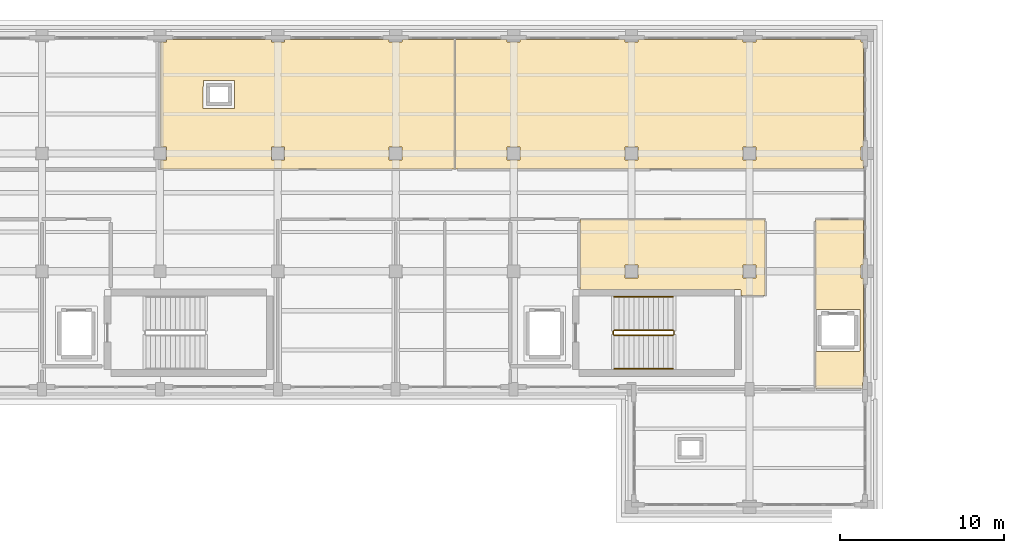
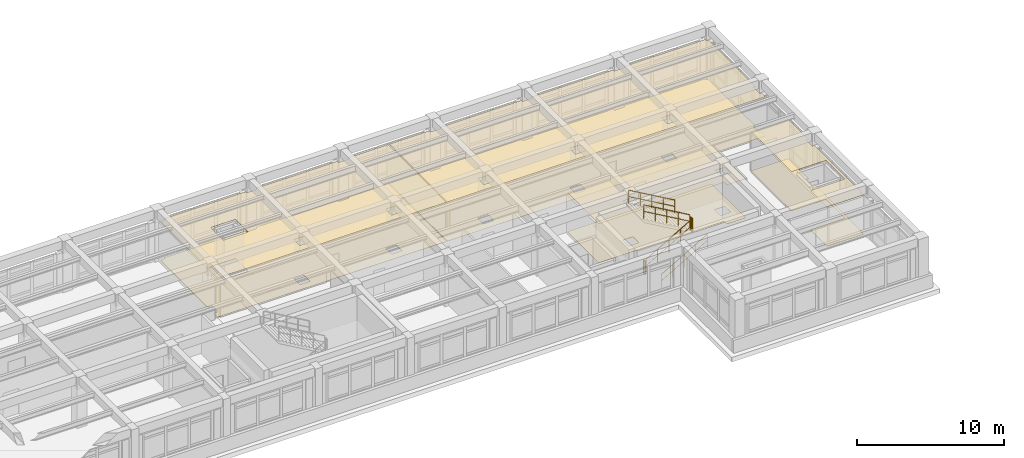
# One storey, part 67 of 67: 8 coverings, 6 railings.
"""IFC4 building model written with IfcOpenShell, lengths in metres."""

import ifcopenshell
import ifcopenshell.guid

model = None  # the IFC model being written
_history = None  # IfcOwnerHistory: only IFC2X3 demands one
_inside = {}  # id of a spatial element -> (the spatial element, [elements in it])
_under = {}  # id of a project, library or spatial element -> (it, [spatial elements below it])
_declared = {}  # id of a project -> (the project, [libraries it declares])
_typed = {}  # id of a type object -> (the type object, [elements of that type])
_made_of = {}  # id of a material, layer set ... -> (it, [elements and type objects made of it])


def new_model(schema):
    """Start an empty IFC model of exactly this schema.

    Asked for "IFC4X3", IfcOpenShell would pick the latest addendum, in which some entities
    have other attributes; the version numbers below select the first issue.
    IFC2X3 requires an IfcOwnerHistory on every rooted entity: one is made here for all.
    """
    global model, _history
    if schema == "IFC4X3":
        model = ifcopenshell.file(schema_version=(4, 3, 0, 0))
    else:
        model = ifcopenshell.file(schema=schema)
    _inside.clear()
    _under.clear()
    _declared.clear()
    _typed.clear()
    _made_of.clear()
    _history = None
    if model.schema == "IFC2X3":
        org = make("IfcOrganization", Name="unknown")
        user = make(
            "IfcPersonAndOrganization",
            ThePerson=make("IfcPerson", FamilyName="unknown"),
            TheOrganization=org,
        )
        app = make(
            "IfcApplication",
            ApplicationDeveloper=org,
            Version="unknown",
            ApplicationFullName="unknown",
            ApplicationIdentifier="unknown",
        )
        _history = make(
            "IfcOwnerHistory",
            OwningUser=user,
            OwningApplication=app,
            ChangeAction="ADDED",
            CreationDate=0,
        )
    return model


def make(cls, **values):
    """One entity of the class cls with the attributes given. An attribute that is None is left unset."""
    return model.create_entity(
        cls, **{name: value for name, value in values.items() if value is not None}
    )


def rooted(cls, **values):
    """An entity with a GlobalId (a new one), such as an element, a storey or a relation."""
    return make(cls, GlobalId=ifcopenshell.guid.new(), OwnerHistory=_history, **values)


def si_unit(unit_type, name, prefix=None):
    """IfcSIUnit, for example si_unit("LENGTHUNIT", "METRE", prefix="MILLI")."""
    return make("IfcSIUnit", UnitType=unit_type, Prefix=prefix, Name=name)


def assignment(units):
    """IfcUnitAssignment: the units of a project."""
    return None if units is None else make("IfcUnitAssignment", Units=units)


def point(xyz):
    """IfcCartesianPoint."""
    return None if xyz is None else make("IfcCartesianPoint", Coordinates=xyz)


def direction(xyz):
    """IfcDirection."""
    return None if xyz is None else make("IfcDirection", DirectionRatios=xyz)


def frame(location, z_axis=None, x_axis=None):
    """IfcAxis2Placement3D, a coordinate frame: its origin and axes. An axis left out is left unset."""
    return make(
        "IfcAxis2Placement3D",
        Location=point(location),
        Axis=direction(z_axis),
        RefDirection=direction(x_axis),
    )


def frame_2d(location, x_axis=None):
    """IfcAxis2Placement2D, a coordinate frame in the plane: its origin and x axis."""
    return make(
        "IfcAxis2Placement2D", Location=point(location), RefDirection=direction(x_axis)
    )


def origin():
    """The frame at (0, 0, 0) with its axes left unset."""
    return frame((0.0, 0.0, 0.0))


def origin_2d():
    """The frame at (0, 0) in the plane with its x axis left unset."""
    return frame_2d((0.0, 0.0))


def place(relative_to, where):
    """IfcLocalPlacement: puts the frame where relative to a parent placement (None: the world)."""
    return make(
        "IfcLocalPlacement", PlacementRelTo=relative_to, RelativePlacement=where
    )


def context(
    kind, dimensions, precision=None, world=None, true_north=None, identifier=None
):
    """IfcGeometricRepresentationContext, for example the 3D "Model" context."""
    return make(
        "IfcGeometricRepresentationContext",
        ContextIdentifier=identifier,
        ContextType=kind,
        CoordinateSpaceDimension=dimensions,
        Precision=precision,
        WorldCoordinateSystem=world,
        TrueNorth=true_north,
    )


def subcontext(parent, identifier, kind, view, scale=None):
    """IfcGeometricRepresentationSubContext, for example "Body" below "Model"."""
    return make(
        "IfcGeometricRepresentationSubContext",
        ContextIdentifier=identifier,
        ContextType=kind,
        ParentContext=parent,
        TargetScale=scale,
        TargetView=view,
    )


def project(units=None, contexts=None):
    """IfcProject with its units and contexts."""
    return rooted(
        "IfcProject",
        Name="project",
        RepresentationContexts=contexts,
        UnitsInContext=assignment(units),
    )


def spatial(cls, under=None, at=None, **own):
    """A site, building, storey or space (cls), placed at a placement, below another one or the project."""
    s = rooted(cls, ObjectPlacement=at, **own)
    if under is not None:
        _under.setdefault(under.id(), (under, []))[1].append(s)
    return s


def polyline(points):
    """IfcPolyline through the points."""
    return make("IfcPolyline", Points=[point(p) for p in points])


def profile(cls, at=None, kind="AREA", **sizes):
    """A parametric profile (cls). Its sizes go by their IFC names, for example OverallWidth=200.0."""
    return make(cls, ProfileType=kind, Position=at, **sizes)


def circle(**sizes):
    """IfcCircleProfileDef."""
    return profile("IfcCircleProfileDef", **sizes)


def outline(outer, holes=None, kind="AREA"):
    """IfcArbitraryClosedProfileDef: a profile drawn as a closed curve; with holes, ...WithVoids."""
    if holes is None:
        return make("IfcArbitraryClosedProfileDef", ProfileType=kind, OuterCurve=outer)
    return make(
        "IfcArbitraryProfileDefWithVoids",
        ProfileType=kind,
        OuterCurve=outer,
        InnerCurves=holes,
    )


def extrude(swept, where, along, depth):
    """IfcExtrudedAreaSolid: the profile swept, set in the frame where, extruded along a direction by depth."""
    return make(
        "IfcExtrudedAreaSolid",
        SweptArea=swept,
        Position=where,
        ExtrudedDirection=direction(along),
        Depth=depth,
    )


def shape(context_of_items, identifier, shape_type, items):
    """IfcShapeRepresentation: the items that make up one representation, for example the "Body"."""
    return make(
        "IfcShapeRepresentation",
        ContextOfItems=context_of_items,
        RepresentationIdentifier=identifier,
        RepresentationType=shape_type,
        Items=items,
    )


def material(Name=None, Category=None):
    """IfcMaterial."""
    return make("IfcMaterial", Name=Name, Category=Category)


def layer(
    of_material, thickness, ventilated=None, Name=None, Category=None, Priority=None
):
    """IfcMaterialLayer: one layer of a wall or slab, of a material (None: an air gap)."""
    return make(
        "IfcMaterialLayer",
        Material=of_material,
        LayerThickness=thickness,
        IsVentilated=ventilated,
        Name=Name,
        Category=Category,
        Priority=Priority,
    )


def layer_set(layers, Name=None):
    """IfcMaterialLayerSet."""
    return make("IfcMaterialLayerSet", MaterialLayers=layers, LayerSetName=Name)


def made_of(thing, what):
    """Note that an element or type object is made of a material, layer set ...; save() writes the relation."""
    if what is not None:
        _made_of.setdefault(what.id(), (what, []))[1].append(thing)
    return thing


def type_object(cls, material=None, **own):
    """A type object (cls), such as IfcWallType, which elements share."""
    return made_of(rooted(cls, **own), material)


def element(
    cls,
    number,
    at=None,
    inside=None,
    cuts=None,
    type_object=None,
    material=None,
    context=None,
    identifier="Body",
    shape_type=None,
    held_by="IfcProductDefinitionShape",
    body=None,
    shapes=None,
    **own,
):
    """One element of the class cls, such as IfcWall. Its Tag is "e" and its number.

    at: its placement. inside: the storey or other place that contains it. cuts: it is an
    opening in that element (IfcRelVoidsElement). A single representation is given by context,
    identifier, shape_type and body (its items); several are given by shapes. held_by: the class
    of the entity that holds the representations. save() writes the other relations.
    """
    e = rooted(cls, Tag="e%d" % number, ObjectPlacement=at, **own)
    if body is not None:
        shapes = [shape(context, identifier, shape_type, body)]
    if shapes is not None:
        e.Representation = make(held_by, Representations=shapes)
    if inside is not None:
        _inside.setdefault(inside.id(), (inside, []))[1].append(e)
    if cuts is not None:
        rooted(
            "IfcRelVoidsElement", RelatingBuildingElement=cuts, RelatedOpeningElement=e
        )
    if type_object is not None:
        _typed.setdefault(type_object.id(), (type_object, []))[1].append(e)
    return made_of(e, material)


def aggregate(whole, parts):
    """IfcRelAggregates: a whole, such as a stair, and the parts it consists of."""
    return rooted("IfcRelAggregates", RelatingObject=whole, RelatedObjects=parts)


def save(model, path):
    """Write the relations noted so far, then the file.

    IfcRelAggregates (storeys below a building ...), IfcRelContainedInSpatialStructure (elements
    in a storey), IfcRelDefinesByType, IfcRelAssociatesMaterial and IfcRelDeclares: one each for
    every whole, place, type object, material and project.
    """
    for whole, parts in _under.values():
        aggregate(whole, parts)
    for where, things in _inside.values():
        rooted(
            "IfcRelContainedInSpatialStructure",
            RelatedElements=things,
            RelatingStructure=where,
        )
    for kind, things in _typed.values():
        rooted("IfcRelDefinesByType", RelatedObjects=things, RelatingType=kind)
    for what, things in _made_of.values():
        rooted("IfcRelAssociatesMaterial", RelatedObjects=things, RelatingMaterial=what)
    for by, libraries in _declared.values():
        rooted("IfcRelDeclares", RelatingContext=by, RelatedDefinitions=libraries)
    model.write(path)


model = new_model("IFC4")

# Units and contexts
model_context = context("Model", 3, precision=1e-05, world=origin(), true_north=direction((0.0, 1.0)))
body_context = subcontext(model_context, "Body", "Model", "MODEL_VIEW")
ifc_project = project(units=[si_unit("LENGTHUNIT", "METRE"), si_unit("AREAUNIT", "SQUARE_METRE"), si_unit("VOLUMEUNIT", "CUBIC_METRE"), si_unit("PLANEANGLEUNIT", "RADIAN"), si_unit("MASSUNIT", "GRAM", prefix="KILO")], contexts=[model_context])

# Site, building, storey
site_placement = place(None, origin())
site = spatial("IfcSite", under=ifc_project, at=site_placement, CompositionType="ELEMENT")
building_placement = place(site_placement, origin())
building = spatial("IfcBuilding", under=site, at=building_placement, Name="Solenvale Faculty of Natural Sciences", CompositionType="ELEMENT")
storey_placement = place(building_placement, frame((0.0, 0.0, 13.5)))
storey = spatial("IfcBuildingStorey", under=building, at=storey_placement, Name="L03", CompositionType="ELEMENT", Elevation=13.5)

# Coverings
ifc_material_1 = material(Name="Acoustic mineral-timber ceiling", Category="wood")
ifc_layer_1 = layer(ifc_material_1, 0.02490234375)
ifc_layer_set_1 = layer_set([ifc_layer_1], Name="Acoustic mineral-timber ceiling")
covering_type_1 = type_object("IfcCoveringType", Name="COV-CEIL-AC25", PredefinedType="CEILING", material=ifc_layer_set_1)
covering_1_placement = place(storey_placement, frame((0.0, 0.0, 3.235107421875)))
element("IfcCovering", 1, at=covering_1_placement, inside=storey, type_object=covering_type_1, Name="L03 Faculty Staff Office Acoustic Ceiling", PredefinedType="CEILING", context=body_context, shape_type="SweptSolid", body=[
    extrude(outline(polyline([(114.77001953125, 114.9599609375), (114.799072265625, 114.93896484375), (114.800048828125, 114.80908203125), (114.81103515625, 114.800048828125), (115.592041015625, 114.800048828125), (115.60107421875, 114.93603515625), (115.6298828125, 114.9599609375), (121.969970703125, 114.9599609375), (121.9990234375, 114.93896484375), (122.0, 114.80908203125), (122.010986328125, 114.800048828125), (122.7919921875, 114.800048828125), (122.801025390625, 114.93603515625), (122.830078125, 114.9599609375), (125.967041015625, 114.955078125), (125.97998046875, 114.929931640625), (125.97509765625, 107.052978515625), (125.949951171875, 107.0400390625), (108.051025390625, 107.047119140625), (108.0400390625, 107.070068359375), (108.044921875, 107.5869140625), (108.06689453125, 107.60009765625), (108.39990234375, 107.60693359375), (108.39990234375, 108.388916015625), (108.388916015625, 108.39990234375), (108.06689453125, 108.39990234375), (108.0400390625, 108.427001953125), (108.047119140625, 114.7890625), (108.070068359375, 114.800048828125), (108.39404296875, 114.801025390625), (108.40087890625, 114.93603515625), (108.429931640625, 114.9599609375), (114.77001953125, 114.9599609375)]), holes=[polyline([(122.010986328125, 108.39990234375), (122.0, 108.388916015625), (122.0029296875, 107.60302734375), (122.797119140625, 107.60302734375), (122.797119140625, 108.39697265625), (122.010986328125, 108.39990234375)]), polyline([(114.81103515625, 108.39990234375), (114.800048828125, 108.388916015625), (114.802978515625, 107.60302734375), (115.596923828125, 107.60302734375), (115.596923828125, 108.39697265625), (114.81103515625, 108.39990234375)]), polyline([(112.531982421875, 110.739990234375), (112.552001953125, 110.75), (112.56005859375, 110.77001953125), (112.56005859375, 112.429931640625), (112.550048828125, 112.451904296875), (110.669921875, 112.4599609375), (110.64794921875, 112.449951171875), (110.639892578125, 110.77001953125), (110.64990234375, 110.748046875), (112.531982421875, 110.739990234375)])]), origin(), (0.0, 0.0, 1.0), 0.02490234375),
])
covering_2_placement = place(storey_placement, frame((0.0, 0.0, 3.235107421875)))
element("IfcCovering", 2, at=covering_2_placement, inside=storey, type_object=covering_type_1, Name="L03 Optics and Photonics Research Laboratory Acoustic Ceiling", PredefinedType="CEILING", context=body_context, shape_type="SweptSolid", body=[
    extrude(outline(polyline([(129.169921875, 114.9599609375), (129.198974609375, 114.93896484375), (129.199951171875, 114.80908203125), (129.2109375, 114.800048828125), (129.991943359375, 114.800048828125), (130.0009765625, 114.93603515625), (130.030029296875, 114.9599609375), (136.3701171875, 114.9599609375), (136.39892578125, 114.93896484375), (136.39990234375, 114.80908203125), (136.410888671875, 114.800048828125), (137.19189453125, 114.800048828125), (137.200927734375, 114.93603515625), (137.22998046875, 114.9599609375), (143.570068359375, 114.9599609375), (143.59912109375, 114.93896484375), (143.60009765625, 114.80908203125), (143.611083984375, 114.800048828125), (144.39208984375, 114.800048828125), (144.40087890625, 114.93603515625), (144.429931640625, 114.9599609375), (150.781005859375, 114.9580078125), (150.800048828125, 114.93310546875), (150.802978515625, 114.802978515625), (150.93603515625, 114.799072265625), (150.9599609375, 114.77001953125), (150.9599609375, 108.429931640625), (150.93896484375, 108.40087890625), (150.80908203125, 108.39990234375), (150.800048828125, 108.388916015625), (150.800048828125, 107.60888671875), (150.80908203125, 107.60009765625), (150.93603515625, 107.59912109375), (150.958984375, 107.5791015625), (150.9580078125, 107.05908203125), (150.929931640625, 107.0400390625), (126.05908203125, 107.0419921875), (126.0400390625, 107.070068359375), (126.0419921875, 114.94091796875), (126.070068359375, 114.9599609375), (129.169921875, 114.9599609375)]), holes=[polyline([(143.611083984375, 108.39990234375), (143.60009765625, 108.388916015625), (143.60302734375, 107.60302734375), (144.39697265625, 107.60302734375), (144.39697265625, 108.39697265625), (143.611083984375, 108.39990234375)]), polyline([(136.410888671875, 108.39990234375), (136.39990234375, 108.388916015625), (136.403076171875, 107.60302734375), (137.197021484375, 107.60302734375), (137.197021484375, 108.39697265625), (136.410888671875, 108.39990234375)]), polyline([(129.2109375, 108.39990234375), (129.199951171875, 108.388916015625), (129.202880859375, 107.60302734375), (129.9970703125, 107.60302734375), (129.9970703125, 108.39697265625), (129.2109375, 108.39990234375)])]), origin(), (0.0, 0.0, 1.0), 0.02490234375),
])
covering_3_placement = place(storey_placement, frame((0.0, 0.0, 3.235107421875)))
element("IfcCovering", 3, at=covering_3_placement, inside=storey, type_object=covering_type_1, Name="L03 Building Electrical and Telecom Closet Acoustic Ceiling", PredefinedType="CEILING", context=body_context, shape_type="SweptSolid", body=[
    extrude(outline(polyline([(144.929931640625, 103.9599609375), (144.950927734375, 103.950927734375), (144.9599609375, 103.929931640625), (144.9599609375, 99.35009765625), (144.94091796875, 99.322021484375), (143.50390625, 99.321044921875), (143.47998046875, 99.346923828125), (143.47998046875, 99.654052734375), (143.450927734375, 99.679931640625), (133.669921875, 99.679931640625), (133.64208984375, 99.698974609375), (133.639892578125, 103.929931640625), (133.658935546875, 103.9580078125), (144.929931640625, 103.9599609375)]), holes=[polyline([(143.611083984375, 101.199951171875), (143.60009765625, 101.18896484375), (143.60302734375, 100.403076171875), (144.39697265625, 100.403076171875), (144.39697265625, 101.197021484375), (143.611083984375, 101.199951171875)]), polyline([(136.410888671875, 101.199951171875), (136.39990234375, 101.18896484375), (136.403076171875, 100.403076171875), (137.197021484375, 100.403076171875), (137.197021484375, 101.197021484375), (136.410888671875, 101.199951171875)])]), origin(), (0.0, 0.0, 1.0), 0.02490234375),
])
covering_4_placement = place(storey_placement, frame((0.0, 0.0, 3.235107421875)))
element("IfcCovering", 4, at=covering_4_placement, inside=storey, type_object=covering_type_1, Name="L03 Elevator Lobby Acoustic Ceiling", PredefinedType="CEILING", context=body_context, shape_type="SweptSolid", body=[
    extrude(outline(polyline([(148.0400390625, 95.889892578125), (148.049072265625, 95.910888671875), (148.070068359375, 95.919921875), (150.72509765625, 95.919921875), (150.7470703125, 95.929931640625), (150.7548828125, 95.949951171875), (150.7548828125, 98.449951171875), (150.7451171875, 98.471923828125), (148.070068359375, 98.47998046875), (148.041015625, 98.5009765625), (148.0419921875, 103.94091796875), (148.070068359375, 103.9599609375), (150.94091796875, 103.9580078125), (150.9599609375, 103.929931640625), (150.9599609375, 101.22705078125), (150.93603515625, 101.200927734375), (150.80908203125, 101.199951171875), (150.800048828125, 101.18896484375), (150.800048828125, 100.407958984375), (150.93603515625, 100.39892578125), (150.9599609375, 100.3701171875), (150.9599609375, 94.054931640625), (150.947021484375, 94.030029296875), (150.89990234375, 94.01708984375), (150.89306640625, 93.65087890625), (150.8701171875, 93.639892578125), (148.051025390625, 93.64697265625), (148.0400390625, 93.669921875), (148.0400390625, 95.889892578125)])), origin(), (0.0, 0.0, 1.0), 0.02490234375),
])
ifc_material_2 = material(Name="Polished slate terrazzo flooring", Category="masonry")
ifc_layer_2 = layer(ifc_material_2, 0.01806640625)
ifc_layer_set_2 = layer_set([ifc_layer_2], Name="Polished slate terrazzo flooring")
covering_type_2 = type_object("IfcCoveringType", Name="COV-FLR-TRZ18", PredefinedType="FLOORING", material=ifc_layer_set_2)
covering_5_placement = place(storey_placement, origin())
element("IfcCovering", 5, at=covering_5_placement, inside=storey, type_object=covering_type_2, Name="L03 Faculty Staff Office Floor Finish", PredefinedType="FLOORING", context=body_context, shape_type="SweptSolid", body=[
    extrude(outline(polyline([(114.77001953125, 114.9599609375), (114.799072265625, 114.93896484375), (114.800048828125, 114.80908203125), (114.81103515625, 114.800048828125), (115.592041015625, 114.800048828125), (115.60107421875, 114.93603515625), (115.6298828125, 114.9599609375), (121.969970703125, 114.9599609375), (121.9990234375, 114.93896484375), (122.0, 114.80908203125), (122.010986328125, 114.800048828125), (122.7919921875, 114.800048828125), (122.801025390625, 114.93603515625), (122.830078125, 114.9599609375), (125.967041015625, 114.955078125), (125.97998046875, 114.929931640625), (125.97509765625, 107.052978515625), (125.949951171875, 107.0400390625), (108.051025390625, 107.047119140625), (108.0400390625, 107.070068359375), (108.044921875, 107.5869140625), (108.06689453125, 107.60009765625), (108.39990234375, 107.60693359375), (108.39990234375, 108.388916015625), (108.388916015625, 108.39990234375), (108.06689453125, 108.39990234375), (108.0400390625, 108.427001953125), (108.047119140625, 114.7890625), (108.070068359375, 114.800048828125), (108.39404296875, 114.801025390625), (108.40087890625, 114.93603515625), (108.429931640625, 114.9599609375), (114.77001953125, 114.9599609375)]), holes=[polyline([(122.010986328125, 108.39990234375), (122.0, 108.388916015625), (122.0029296875, 107.60302734375), (122.797119140625, 107.60302734375), (122.797119140625, 108.39697265625), (122.010986328125, 108.39990234375)]), polyline([(114.81103515625, 108.39990234375), (114.800048828125, 108.388916015625), (114.802978515625, 107.60302734375), (115.596923828125, 107.60302734375), (115.596923828125, 108.39697265625), (114.81103515625, 108.39990234375)]), polyline([(112.531982421875, 110.739990234375), (112.552001953125, 110.75), (112.56005859375, 110.77001953125), (112.56005859375, 112.429931640625), (112.550048828125, 112.451904296875), (110.669921875, 112.4599609375), (110.64794921875, 112.449951171875), (110.639892578125, 110.77001953125), (110.64990234375, 110.748046875), (112.531982421875, 110.739990234375)])]), origin(), (0.0, 0.0, 1.0), 0.01806640625),
])
covering_6_placement = place(storey_placement, origin())
element("IfcCovering", 6, at=covering_6_placement, inside=storey, type_object=covering_type_2, Name="L03 Building Electrical and Telecom Closet Floor Finish", PredefinedType="FLOORING", context=body_context, shape_type="SweptSolid", body=[
    extrude(outline(polyline([(144.929931640625, 103.9599609375), (144.950927734375, 103.950927734375), (144.9599609375, 103.929931640625), (144.9599609375, 99.35009765625), (144.94091796875, 99.322021484375), (143.50390625, 99.321044921875), (143.47998046875, 99.346923828125), (143.47998046875, 99.654052734375), (143.450927734375, 99.679931640625), (133.669921875, 99.679931640625), (133.64208984375, 99.698974609375), (133.639892578125, 103.929931640625), (133.658935546875, 103.9580078125), (144.929931640625, 103.9599609375)]), holes=[polyline([(143.611083984375, 101.199951171875), (143.60009765625, 101.18896484375), (143.60302734375, 100.403076171875), (144.39697265625, 100.403076171875), (144.39697265625, 101.197021484375), (143.611083984375, 101.199951171875)]), polyline([(136.410888671875, 101.199951171875), (136.39990234375, 101.18896484375), (136.403076171875, 100.403076171875), (137.197021484375, 100.403076171875), (137.197021484375, 101.197021484375), (136.410888671875, 101.199951171875)])]), origin(), (0.0, 0.0, 1.0), 0.01806640625),
])
covering_7_placement = place(storey_placement, origin())
element("IfcCovering", 7, at=covering_7_placement, inside=storey, type_object=covering_type_2, Name="L03 Elevator Lobby Floor Finish", PredefinedType="FLOORING", context=body_context, shape_type="SweptSolid", body=[
    extrude(outline(polyline([(148.0400390625, 95.889892578125), (148.049072265625, 95.910888671875), (148.070068359375, 95.919921875), (150.72509765625, 95.919921875), (150.7470703125, 95.929931640625), (150.7548828125, 95.949951171875), (150.7548828125, 98.449951171875), (150.7451171875, 98.471923828125), (148.070068359375, 98.47998046875), (148.041015625, 98.5009765625), (148.0419921875, 103.94091796875), (148.070068359375, 103.9599609375), (150.94091796875, 103.9580078125), (150.9599609375, 103.929931640625), (150.9599609375, 101.22705078125), (150.93603515625, 101.200927734375), (150.80908203125, 101.199951171875), (150.800048828125, 101.18896484375), (150.800048828125, 100.407958984375), (150.93603515625, 100.39892578125), (150.9599609375, 100.3701171875), (150.9599609375, 94.054931640625), (150.947021484375, 94.030029296875), (150.89990234375, 94.01708984375), (150.89306640625, 93.65087890625), (150.8701171875, 93.639892578125), (148.051025390625, 93.64697265625), (148.0400390625, 93.669921875), (148.0400390625, 95.889892578125)])), origin(), (0.0, 0.0, 1.0), 0.01806640625),
])
ifc_material_3 = material(Name="Seamless laboratory vinyl flooring")
ifc_layer_3 = layer(ifc_material_3, 0.008056640625)
ifc_layer_set_3 = layer_set([ifc_layer_3], Name="Seamless laboratory vinyl flooring")
covering_type_3 = type_object("IfcCoveringType", Name="COV-FLR-VNL08", PredefinedType="FLOORING", material=ifc_layer_set_3)
covering_8_placement = place(storey_placement, origin())
element("IfcCovering", 8, at=covering_8_placement, inside=storey, type_object=covering_type_3, Name="L03 Optics and Photonics Research Laboratory Floor Finish", PredefinedType="FLOORING", context=body_context, shape_type="SweptSolid", body=[
    extrude(outline(polyline([(129.169921875, 114.9599609375), (129.198974609375, 114.93896484375), (129.199951171875, 114.80908203125), (129.2109375, 114.800048828125), (129.991943359375, 114.800048828125), (130.0009765625, 114.93603515625), (130.030029296875, 114.9599609375), (136.3701171875, 114.9599609375), (136.39892578125, 114.93896484375), (136.39990234375, 114.80908203125), (136.410888671875, 114.800048828125), (137.19189453125, 114.800048828125), (137.200927734375, 114.93603515625), (137.22998046875, 114.9599609375), (143.570068359375, 114.9599609375), (143.59912109375, 114.93896484375), (143.60009765625, 114.80908203125), (143.611083984375, 114.800048828125), (144.39208984375, 114.800048828125), (144.40087890625, 114.93603515625), (144.429931640625, 114.9599609375), (150.781005859375, 114.9580078125), (150.800048828125, 114.93310546875), (150.802978515625, 114.802978515625), (150.93603515625, 114.799072265625), (150.9599609375, 114.77001953125), (150.9599609375, 108.429931640625), (150.93896484375, 108.40087890625), (150.80908203125, 108.39990234375), (150.800048828125, 108.388916015625), (150.800048828125, 107.60888671875), (150.80908203125, 107.60009765625), (150.93603515625, 107.59912109375), (150.958984375, 107.5791015625), (150.9580078125, 107.05908203125), (150.929931640625, 107.0400390625), (126.05908203125, 107.0419921875), (126.0400390625, 107.070068359375), (126.0419921875, 114.94091796875), (126.070068359375, 114.9599609375), (129.169921875, 114.9599609375)]), holes=[polyline([(143.611083984375, 108.39990234375), (143.60009765625, 108.388916015625), (143.60302734375, 107.60302734375), (144.39697265625, 107.60302734375), (144.39697265625, 108.39697265625), (143.611083984375, 108.39990234375)]), polyline([(136.410888671875, 108.39990234375), (136.39990234375, 108.388916015625), (136.403076171875, 107.60302734375), (137.197021484375, 107.60302734375), (137.197021484375, 108.39697265625), (136.410888671875, 108.39990234375)]), polyline([(129.2109375, 108.39990234375), (129.199951171875, 108.388916015625), (129.202880859375, 107.60302734375), (129.9970703125, 107.60302734375), (129.9970703125, 108.39697265625), (129.2109375, 108.39990234375)])]), origin(), (0.0, 0.0, 1.0), 0.008056640625),
])

# Railings
ifc_material_4 = material(Name="Stainless steel Grade 304", Category="steel")
railing_type_1 = type_object("IfcRailingType", Name="RL-GRD-1100", PredefinedType="GUARDRAIL", material=ifc_material_4)
railing_1_placement = place(storey_placement, frame((135.739990234375, 96.89990234375, 0.173095703125)))
element("IfcRailing", 9, at=railing_1_placement, inside=storey, type_object=railing_type_1, Name="L03 ST-05 stair guard 1", PredefinedType="GUARDRAIL", context=body_context, shape_type="SweptSolid", body=[
    extrude(circle(Radius=0.02392578125, at=origin_2d()), frame((0.0, 0.0, 1.09619140625), z_axis=(0.866193409371, 0.0, 0.499708892819), x_axis=(0.0, 1.0, 0.0)), (0.0, 0.0, 1.0), 4.15625),
    extrude(circle(Radius=0.01611328125, at=origin_2d()), frame((0.0, 0.0, 0.56005859375), z_axis=(0.866193409371, 0.0, 0.499708892819), x_axis=(0.0, 1.0, 0.0)), (0.0, 0.0, 1.0), 4.15625),
    extrude(circle(Radius=0.02099609375, at=origin_2d()), origin(), (0.0, 0.0, 1.0), 1.072021484375),
    extrude(circle(Radius=0.02099609375, at=origin_2d()), frame((0.89990234375, 0.0, 0.519287109375)), (0.0, 0.0, 1.0), 1.072021484375),
    extrude(circle(Radius=0.02099609375, at=origin_2d()), frame((1.800048828125, 0.0, 1.03857421875)), (0.0, 0.0, 1.0), 1.072021484375),
    extrude(circle(Radius=0.02099609375, at=origin_2d()), frame((2.7001953125, 0.0, 1.5576171875)), (0.0, 0.0, 1.0), 1.072021484375),
    extrude(circle(Radius=0.02099609375, at=origin_2d()), frame((3.60009765625, 0.0, 2.076904296875)), (0.0, 0.0, 1.0), 1.072021484375),
])
railing_2_placement = place(storey_placement, frame((139.389892578125, 96.949951171875, 2.25)))
element("IfcRailing", 10, at=railing_2_placement, inside=storey, type_object=railing_type_1, Name="L03 ST-05 stair guard 2", PredefinedType="GUARDRAIL", context=body_context, shape_type="SweptSolid", body=[
    extrude(circle(Radius=0.02392578125, at=origin_2d()), frame((0.0, 0.0, 1.09619140625), z_axis=(0.0, 1.0, 0.0), x_axis=(-1.0, 0.0, 0.0)), (0.0, 0.0, 1.0), 0.199951171875),
    extrude(circle(Radius=0.01611328125, at=origin_2d()), frame((0.0, 0.0, 0.56005859375), z_axis=(0.0, 1.0, 0.0), x_axis=(-1.0, 0.0, 0.0)), (0.0, 0.0, 1.0), 0.199951171875),
    extrude(circle(Radius=0.02099609375, at=origin_2d()), origin(), (0.0, 0.0, 1.0), 1.072021484375),
    extrude(circle(Radius=0.02099609375, at=origin_2d()), frame((0.0, 0.199951171875, 0.0)), (0.0, 0.0, 1.0), 1.072021484375),
])
railing_3_placement = place(storey_placement, frame((139.340087890625, 97.199951171875, 2.423095703125)))
element("IfcRailing", 11, at=railing_3_placement, inside=storey, type_object=railing_type_1, Name="L03 ST-05 stair guard 3", PredefinedType="GUARDRAIL", context=body_context, shape_type="SweptSolid", body=[
    extrude(circle(Radius=0.02392578125, at=origin_2d()), frame((0.0, 0.0, 1.09619140625), z_axis=(-0.866193409371, 0.0, 0.499708892819), x_axis=(0.0, -1.0, 0.0)), (0.0, 0.0, 1.0), 4.15625),
    extrude(circle(Radius=0.01611328125, at=origin_2d()), frame((0.0, 0.0, 0.56005859375), z_axis=(-0.866193409371, 0.0, 0.499708892819), x_axis=(0.0, -1.0, 0.0)), (0.0, 0.0, 1.0), 4.15625),
    extrude(circle(Radius=0.02099609375, at=origin_2d()), origin(), (0.0, 0.0, 1.0), 1.072021484375),
    extrude(circle(Radius=0.02099609375, at=origin_2d()), frame((-0.89990234375, 0.0, 0.519287109375)), (0.0, 0.0, 1.0), 1.072021484375),
    extrude(circle(Radius=0.02099609375, at=origin_2d()), frame((-1.800048828125, 0.0, 1.03857421875)), (0.0, 0.0, 1.0), 1.072021484375),
    extrude(circle(Radius=0.02099609375, at=origin_2d()), frame((-2.7001953125, 0.0, 1.5576171875)), (0.0, 0.0, 1.0), 1.072021484375),
    extrude(circle(Radius=0.02099609375, at=origin_2d()), frame((-3.60009765625, 0.0, 2.076904296875)), (0.0, 0.0, 1.0), 1.072021484375),
])
railing_4_placement = place(storey_placement, frame((135.68994140625, 96.949951171875, 0.0)))
element("IfcRailing", 12, at=railing_4_placement, inside=storey, type_object=railing_type_1, Name="L03 ST-05 stair guard 4", PredefinedType="GUARDRAIL", context=body_context, shape_type="SweptSolid", body=[
    extrude(circle(Radius=0.02392578125, at=origin_2d()), frame((0.0, 0.0, 1.09619140625), z_axis=(0.0, 1.0, 0.0), x_axis=(-1.0, 0.0, 0.0)), (0.0, 0.0, 1.0), 0.199951171875),
    extrude(circle(Radius=0.01611328125, at=origin_2d()), frame((0.0, 0.0, 0.56005859375), z_axis=(0.0, 1.0, 0.0), x_axis=(-1.0, 0.0, 0.0)), (0.0, 0.0, 1.0), 0.199951171875),
    extrude(circle(Radius=0.02099609375, at=origin_2d()), origin(), (0.0, 0.0, 1.0), 1.072021484375),
    extrude(circle(Radius=0.02099609375, at=origin_2d()), frame((0.0, 0.199951171875, 0.0)), (0.0, 0.0, 1.0), 1.072021484375),
])
railing_type_2 = type_object("IfcRailingType", Name="RL-HND-900", PredefinedType="HANDRAIL", material=ifc_material_4)
railing_5_placement = place(storey_placement, frame((135.739990234375, 94.85009765625, 0.173095703125)))
element("IfcRailing", 13, at=railing_5_placement, inside=storey, type_object=railing_type_2, Name="L03 ST-05 stair handrail 1", PredefinedType="HANDRAIL", context=body_context, shape_type="SweptSolid", body=[
    extrude(circle(Radius=0.02392578125, at=origin_2d()), frame((0.0, 0.0, 1.0732421875), z_axis=(0.866193409371, 0.0, 0.499708892819), x_axis=(0.0, 1.0, 0.0)), (0.0, 0.0, 1.0), 4.15625),
    extrude(circle(Radius=0.01611328125, at=origin_2d()), frame((0.0, 0.0, 0.548583984375), z_axis=(0.866193409371, 0.0, 0.499708892819), x_axis=(0.0, 1.0, 0.0)), (0.0, 0.0, 1.0), 4.15625),
    extrude(circle(Radius=0.02099609375, at=origin_2d()), origin(), (0.0, 0.0, 1.0), 1.049072265625),
    extrude(circle(Radius=0.02099609375, at=origin_2d()), frame((0.89990234375, 0.0, 0.519287109375)), (0.0, 0.0, 1.0), 1.049072265625),
    extrude(circle(Radius=0.02099609375, at=origin_2d()), frame((1.800048828125, 0.0, 1.03857421875)), (0.0, 0.0, 1.0), 1.049072265625),
    extrude(circle(Radius=0.02099609375, at=origin_2d()), frame((2.7001953125, 0.0, 1.5576171875)), (0.0, 0.0, 1.0), 1.049072265625),
    extrude(circle(Radius=0.02099609375, at=origin_2d()), frame((3.60009765625, 0.0, 2.076904296875)), (0.0, 0.0, 1.0), 1.049072265625),
])
railing_6_placement = place(storey_placement, frame((139.340087890625, 99.25, 2.423095703125)))
element("IfcRailing", 14, at=railing_6_placement, inside=storey, type_object=railing_type_2, Name="L03 ST-05 stair handrail 2", PredefinedType="HANDRAIL", context=body_context, shape_type="SweptSolid", body=[
    extrude(circle(Radius=0.02392578125, at=origin_2d()), frame((0.0, 0.0, 1.0732421875), z_axis=(-0.866193409371, 0.0, 0.499708892819), x_axis=(0.0, -1.0, 0.0)), (0.0, 0.0, 1.0), 4.15625),
    extrude(circle(Radius=0.01611328125, at=origin_2d()), frame((0.0, 0.0, 0.548583984375), z_axis=(-0.866193409371, 0.0, 0.499708892819), x_axis=(0.0, -1.0, 0.0)), (0.0, 0.0, 1.0), 4.15625),
    extrude(circle(Radius=0.02099609375, at=origin_2d()), origin(), (0.0, 0.0, 1.0), 1.049072265625),
    extrude(circle(Radius=0.02099609375, at=origin_2d()), frame((-0.89990234375, 0.0, 0.519287109375)), (0.0, 0.0, 1.0), 1.049072265625),
    extrude(circle(Radius=0.02099609375, at=origin_2d()), frame((-1.800048828125, 0.0, 1.03857421875)), (0.0, 0.0, 1.0), 1.049072265625),
    extrude(circle(Radius=0.02099609375, at=origin_2d()), frame((-2.7001953125, 0.0, 1.5576171875)), (0.0, 0.0, 1.0), 1.049072265625),
    extrude(circle(Radius=0.02099609375, at=origin_2d()), frame((-3.60009765625, 0.0, 2.076904296875)), (0.0, 0.0, 1.0), 1.049072265625),
])

save(model, "model.ifc")
